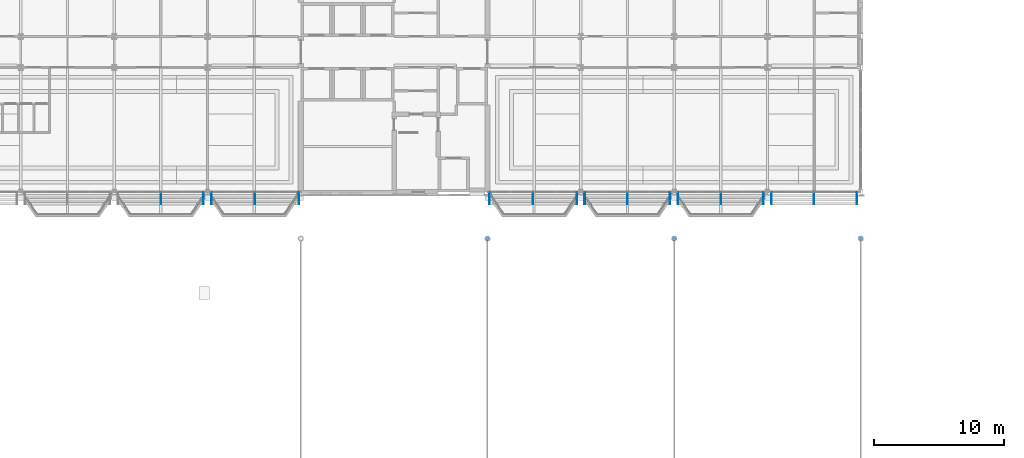
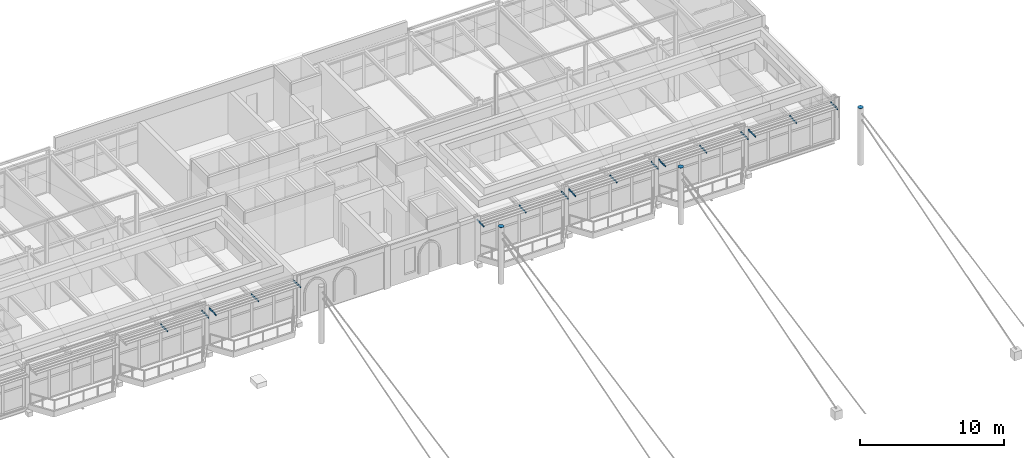
# One storey, part 57 of 68: 20 discrete accessories.
"""IFC4 building model written with IfcOpenShell, lengths in metres."""

from ifc_helpers import new_model, si_unit, direction, frame, origin, origin_2d, place, context, subcontext, project, spatial, rectangle, circle, extrude, material, layer, layer_set, type_object, element, save


model = new_model("IFC4")

# Units and contexts
model_context = context("Model", 3, precision=1e-05, world=origin(), true_north=direction((0.0, 1.0)))
body_context = subcontext(model_context, "Body", "Model", "MODEL_VIEW")
ifc_project = project(units=[si_unit("LENGTHUNIT", "METRE"), si_unit("AREAUNIT", "SQUARE_METRE"), si_unit("VOLUMEUNIT", "CUBIC_METRE"), si_unit("PLANEANGLEUNIT", "RADIAN"), si_unit("MASSUNIT", "GRAM", prefix="KILO")], contexts=[model_context])

# Site, building, storey
site_placement = place(None, origin())
site = spatial("IfcSite", under=ifc_project, at=site_placement, CompositionType="ELEMENT")
building_placement = place(site_placement, origin())
building = spatial("IfcBuilding", under=site, at=building_placement, Name="Kupolbacken Congress Centre", CompositionType="ELEMENT")
storey_placement = place(building_placement, frame((0.0, 0.0, 25.199951171875)))
storey = spatial("IfcBuildingStorey", under=building, at=storey_placement, Name="L07", CompositionType="ELEMENT", Elevation=25.199951171875)

# Discrete accessories
ifc_material_1 = material(Name="Steel S355", Category="steel")
ifc_layer_1 = layer(ifc_material_1, 0.011962890625)
ifc_layer_set_1 = layer_set([ifc_layer_1], Name="Steel S355")
discrete_accessory_type_1 = type_object("IfcDiscreteAccessoryType", Name="BK1 bracket 150 x 150 x 12", PredefinedType="BRACKET", material=ifc_layer_set_1)
for number, where, z_axis, x_axis, name in (
    (1, (82.800048828125, 121.909912109375, 3.070068359375), (0.0, 0.0, 1.0), (1.0, 0.0, 0.0), "Brise-soleil arm"),
    (2, (86.096435546875, 121.909912109375, 3.070068359375), (0.0, 0.0, 1.0), (1.0, 0.0, 0.0), "Brise-soleil arm"),
    (3, (86.70361328125, 121.909912109375, 3.070068359375), (0.0, 0.0, 1.0), (1.0, 0.0, 0.0), "Brise-soleil arm"),
    (4, (90.07666015625, 121.909912109375, 3.070068359375), (0.0, 0.0, 1.0), (1.0, 0.0, 0.0), "Brise-soleil arm"),
    (5, (93.449951171875, 121.909912109375, 3.070068359375), (0.0, 0.0, 1.0), (1.0, 0.0, 0.0), "Brise-soleil arm"),
    (6, (108.14990234375, 121.909912109375, 3.070068359375), (0.0, 0.0, 1.0), (1.0, 0.0, 0.0), "Brise-soleil arm"),
    (7, (111.523193359375, 121.909912109375, 3.070068359375), (0.0, 0.0, 1.0), (1.0, 0.0, 0.0), "Brise-soleil arm"),
    (8, (114.896484375, 121.909912109375, 3.070068359375), (0.0, 0.0, 1.0), (1.0, 0.0, 0.0), "Brise-soleil arm"),
    (9, (115.50341796875, 121.909912109375, 3.070068359375), (0.0, 0.0, 1.0), (1.0, 0.0, 0.0), "Brise-soleil arm"),
    (10, (118.800048828125, 121.909912109375, 3.070068359375), (0.0, 0.0, 1.0), (1.0, 0.0, 0.0), "Brise-soleil arm"),
    (11, (122.096435546875, 121.909912109375, 3.070068359375), (0.0, 0.0, 1.0), (1.0, 0.0, 0.0), "Brise-soleil arm"),
    (12, (122.70361328125, 121.909912109375, 3.070068359375), (0.0, 0.0, 1.0), (1.0, 0.0, 0.0), "Brise-soleil arm"),
    (13, (126.0, 121.909912109375, 3.070068359375), (0.0, 0.0, 1.0), (1.0, 0.0, 0.0), "Brise-soleil arm"),
    (14, (129.29638671875, 121.909912109375, 3.070068359375), (0.0, 0.0, 1.0), (1.0, 0.0, 0.0), "Brise-soleil arm"),
    (15, (129.903564453125, 121.909912109375, 3.070068359375), (0.0, 0.0, 1.0), (1.0, 0.0, 0.0), "Brise-soleil arm"),
    (16, (133.20166015625, 121.909912109375, 3.070068359375), (0.0, 0.0, 1.0), (1.0, 0.0, 0.0), "Brise-soleil arm"),
    (17, (136.5, 121.909912109375, 3.070068359375), (0.0, 0.0, 1.0), (1.0, 0.0, 0.0), "Brise-soleil arm"),
):
    element("IfcDiscreteAccessory", number, at=place(storey_placement, frame(where, z_axis=z_axis, x_axis=x_axis)), inside=storey, type_object=discrete_accessory_type_1, Name=name, PredefinedType="BRACKET", context=body_context, shape_type="SweptSolid", body=[
        extrude(rectangle(XDim=0.0400390625, YDim=0.919921875, at=origin_2d()), origin(), (0.0, 0.0, 1.0), 0.1201171875),
    ])
ifc_material_2 = material(Name="Steel S355", Category="steel")
ifc_layer_2 = layer(ifc_material_2, 0.02001953125)
ifc_layer_set_2 = layer_set([ifc_layer_2], Name="Steel S355")
discrete_accessory_type_2 = type_object("IfcDiscreteAccessoryType", Name="EC1 mast head cap plate 406 dia x 20", PredefinedType="BRACKET", material=ifc_layer_set_2)
for number, where, z_axis, x_axis, name in (
    (18, (108.0, 118.800048828125, 4.800048828125), (0.0, 0.0, 1.0), (1.0, 0.0, 0.0), "End cap plate Roof mast M2N"),
    (19, (122.39990234375, 118.800048828125, 4.800048828125), (0.0, 0.0, 1.0), (1.0, 0.0, 0.0), "End cap plate Roof mast M3N"),
    (20, (136.800048828125, 118.800048828125, 4.800048828125), (0.0, 0.0, 1.0), (1.0, 0.0, 0.0), "End cap plate Roof mast M4N"),
):
    element("IfcDiscreteAccessory", number, at=place(storey_placement, frame(where, z_axis=z_axis, x_axis=x_axis)), inside=storey, type_object=discrete_accessory_type_2, Name=name, PredefinedType="BRACKET", context=body_context, shape_type="SweptSolid", body=[
        extrude(circle(Radius=0.203125, at=origin_2d()), origin(), (0.0, 0.0, 1.0), 0.02001953125),
    ])

save(model, "model.ifc")
